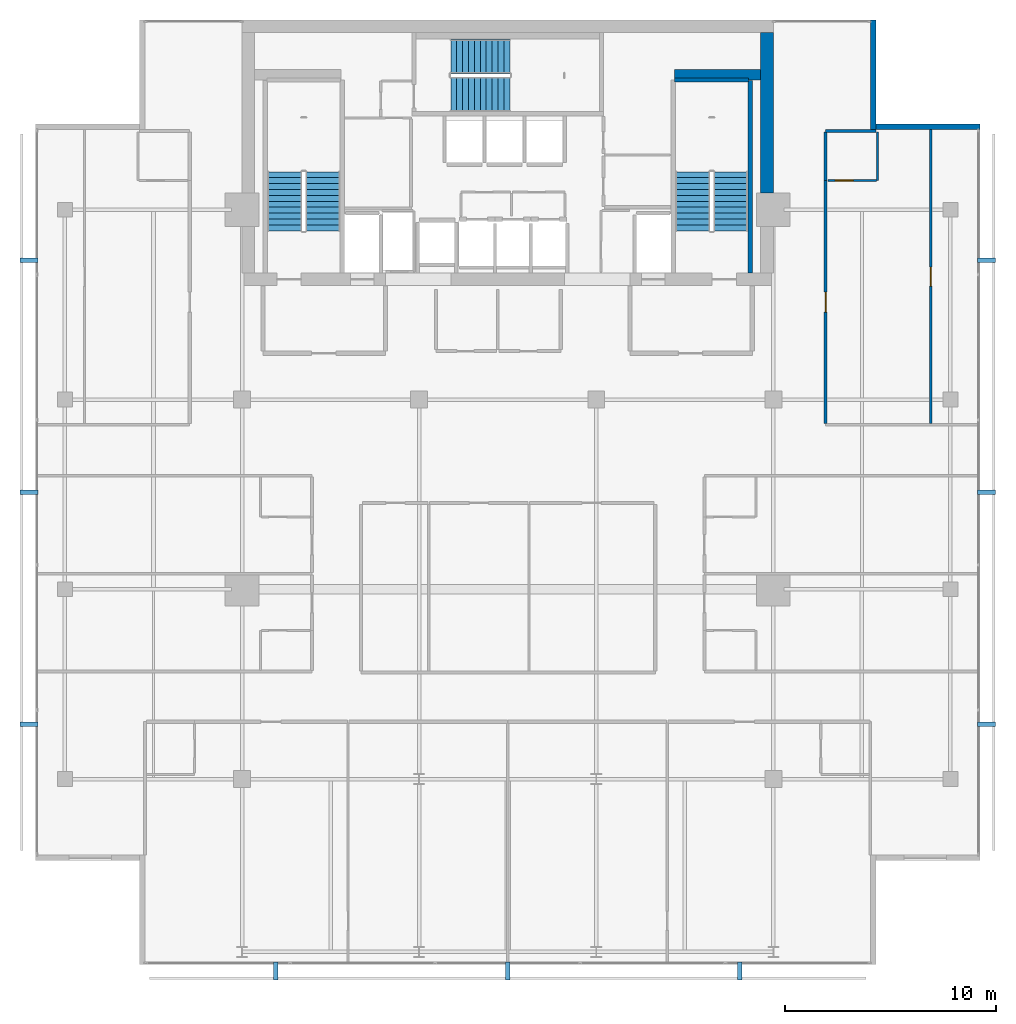
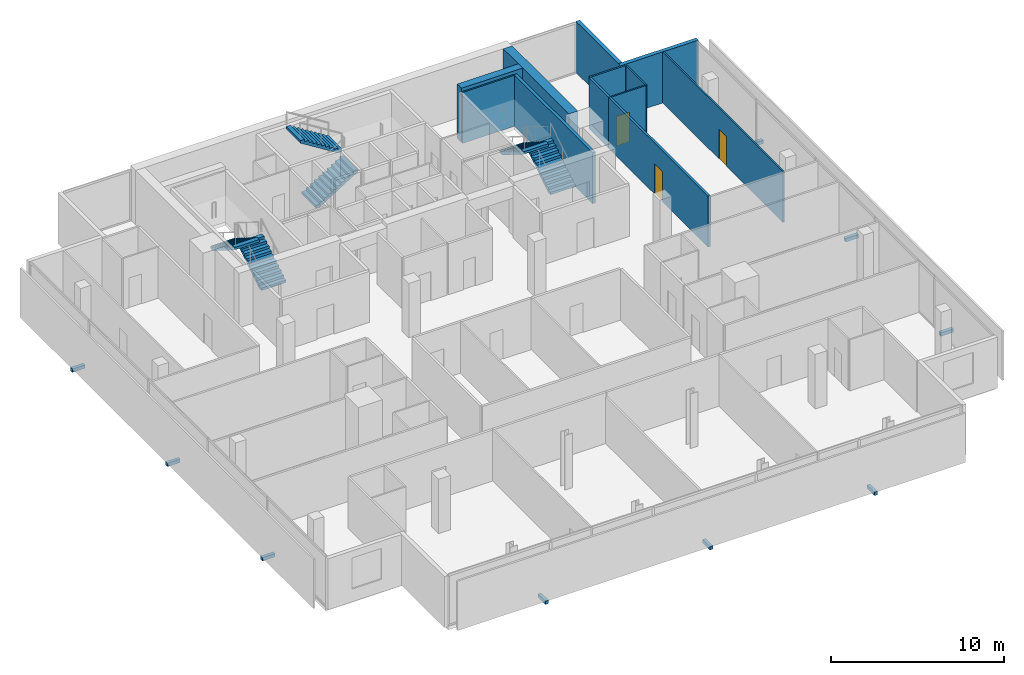
# One storey, part 23 of 25: 12 walls, 9 discrete accessories, 6 stair flights, 3 doors, 3 openings, 3 elements without a shape of their own.
"""IFC4 building model written with IfcOpenShell, lengths in metres."""

from ifc_helpers import new_model, si_unit, direction, frame, frame_2d, origin, origin_2d, place, context, subcontext, project, spatial, polyline, rectangle, outline, extrude, material, layer, layer_set, type_object, element, fill, aggregate, save


model = new_model("IFC4")

# Units and contexts
model_context = context("Model", 3, precision=1e-05, world=origin(), true_north=direction((0.0, 1.0)))
body_context = subcontext(model_context, "Body", "Model", "MODEL_VIEW")
ifc_project = project(units=[si_unit("LENGTHUNIT", "METRE"), si_unit("AREAUNIT", "SQUARE_METRE"), si_unit("VOLUMEUNIT", "CUBIC_METRE"), si_unit("PLANEANGLEUNIT", "RADIAN"), si_unit("MASSUNIT", "GRAM", prefix="KILO")], contexts=[model_context])

# Site, building, storey
site_placement = place(None, origin())
site = spatial("IfcSite", under=ifc_project, at=site_placement, CompositionType="ELEMENT")
building_placement = place(site_placement, origin())
building = spatial("IfcBuilding", under=site, at=building_placement, Name="Maruvema Waterfront Hotel and Observation Tower", CompositionType="ELEMENT")
storey_placement = place(building_placement, frame((0.0, 0.0, 277.89990234375)))
storey = spatial("IfcBuildingStorey", under=building, at=storey_placement, Name="L68", CompositionType="ELEMENT", Elevation=277.89990234375)

# Wall, opening, door
ifc_material_1 = material(Name="Twin-stud acoustic gypsum drywall", Category="gypsum")
ifc_layer_1 = layer(ifc_material_1, 0.14990234375, Name="Acoustic Corridor and Suite Demising Wall 150 mm")
ifc_layer_set_1 = layer_set([ifc_layer_1], Name="Twin-stud acoustic gypsum drywall")
wall_type_1 = type_object("IfcWallType", Name="Acoustic Corridor and Suite Demising Wall 150 mm", PredefinedType="PARTITIONING", material=ifc_layer_set_1)
wall_1_placement = place(storey_placement, frame((52.8798828125, 34.860107421875, 0.0), z_axis=(0.0, 0.0, 1.0), x_axis=(0.0, 1.0, 0.0)))
wall_1 = element("IfcWall", 1, at=wall_1_placement, inside=storey, type_object=wall_type_1, Name="L68 Room L68-NE1 Corridor Wall 085", PredefinedType="PARTITIONING", context=body_context, shape_type="SweptSolid", body=[
    extrude(rectangle(XDim=11.52734375, YDim=0.14990234375, at=frame_2d((5.763671875, 0.0))), origin(), (0.0, 0.0, 1.0), 3.610107421875),
])
opening_1_placement = place(wall_1_placement, frame((5.288818359375, 0.0, 0.0)))
opening_1 = element("IfcOpeningElement", 2, at=opening_1_placement, cuts=wall_1, Name="Opening DR-095", PredefinedType="OPENING", context=body_context, shape_type="SweptSolid", body=[
    extrude(rectangle(XDim=0.949951171875, YDim=2.14990234375, at=frame_2d((0.47509765625, 1.074951171875))), frame((0.0, 0.0849609375, 0.0), z_axis=(0.0, -1.0, 0.0), x_axis=(1.0, 0.0, 0.0)), (0.0, 0.0, 1.0), 0.169921875),
])
ifc_material_2 = material(Name="Acoustic solid-core hardwood timber leaf", Category="wood")
door_type_1 = type_object("IfcDoorType", Name="Guestroom Entrance Fire Door 950x2150 mm", OperationType="NOTDEFINED", PredefinedType="DOOR", material=ifc_material_2)
door_1_placement = place(opening_1_placement, frame((0.949951171875, 0.0, 0.0), z_axis=(0.0, 0.0, 1.0), x_axis=(-1.0, 0.0, 0.0)))
door_1 = element("IfcDoor", 3, at=door_1_placement, inside=storey, type_object=door_type_1, Name="L68 Room L68-NE1 Entrance Door", OperationType="SINGLE_SWING_RIGHT", OverallHeight=2.14990234375, OverallWidth=0.949951171875, PredefinedType="DOOR", context=body_context, shape_type="SweptSolid", body=[
    extrude(rectangle(XDim=0.949951171875, YDim=2.14990234375, at=frame_2d((0.47509765625, 1.074951171875))), frame((0.0, 0.02490234375, 0.0), z_axis=(0.0, -1.0, 0.0), x_axis=(1.0, 0.0, 0.0)), (0.0, 0.0, 1.0), 0.050048828125),
])
fill(opening_1, door_1)

# Walls
wall_2_placement = place(storey_placement, frame((52.8798828125, 46.387451171875, 0.0), z_axis=(0.0, 0.0, 1.0), x_axis=(0.0, 1.0, 0.0)))
element("IfcWall", 4, at=wall_2_placement, inside=storey, type_object=wall_type_1, Name="L68 Bath L68-NE1 Wall 086", PredefinedType="PARTITIONING", context=body_context, shape_type="SweptSolid", body=[
    extrude(rectangle(XDim=2.2900390625, YDim=0.14990234375, at=frame_2d((1.14501953125, 0.0))), origin(), (0.0, 0.0, 1.0), 3.610107421875),
])
ifc_material_3 = material(Name="Precast concrete C45/55", Category="concrete")
ifc_layer_2 = layer(ifc_material_3, 0.199951171875, Name="Core Shaft and Stairwell Enclosure Wall 200 mm")
ifc_layer_set_2 = layer_set([ifc_layer_2], Name="Precast concrete C45/55")
wall_type_2 = type_object("IfcWallType", Name="Core Shaft and Stairwell Enclosure Wall 200 mm", PredefinedType="SOLIDWALL", material=ifc_layer_set_2)
wall_3_placement = place(storey_placement, frame((49.300048828125, 42.0, 0.0), z_axis=(0.0, 0.0, 1.0), x_axis=(0.0, 1.0, 0.0)))
element("IfcWall", 5, at=wall_3_placement, inside=storey, type_object=wall_type_2, Name="L68 Stairwell ST-03 Shaft Lining Wall", PredefinedType="SOLIDWALL", context=body_context, shape_type="SweptSolid", body=[
    extrude(rectangle(XDim=9.1201171875, YDim=0.199951171875, at=frame_2d((4.56005859375, 0.0))), origin(), (0.0, 0.0, 1.0), 3.610107421875),
])
wall_4_placement = place(storey_placement, frame((45.719970703125, 51.14990234375, 0.0), z_axis=(0.0, 0.0, 1.0), x_axis=(1.0, 0.0, 0.0)))
element("IfcWall", 6, at=wall_4_placement, inside=storey, type_object=wall_type_2, Name="L68 Stairwell ST-03 Shaft Lining Wall", PredefinedType="SOLIDWALL", context=body_context, shape_type="SweptSolid", body=[
    extrude(rectangle(XDim=3.5, YDim=0.199951171875, at=frame_2d((1.75, 0.0))), origin(), (0.0, 0.0, 1.0), 3.610107421875),
])
ifc_material_4 = material(Name="Concrete C70/85", Category="concrete")
ifc_layer_3 = layer(ifc_material_4, 0.5, Name="Core Shear Wall 500 mm")
ifc_layer_set_3 = layer_set([ifc_layer_3], Name="Concrete C70/85")
wall_type_3 = type_object("IfcWallType", Name="Core Shear Wall 500 mm", PredefinedType="SHEAR", material=ifc_layer_set_3)
wall_5_placement = place(storey_placement, frame((45.699951171875, 51.39990234375, 0.0), z_axis=(0.0, 0.0, 1.0), x_axis=(1.0, 0.0, 0.0)))
element("IfcWall", 7, at=wall_5_placement, inside=storey, type_object=wall_type_3, Name="L68 Internal Core Shear Wall NE 500 mm", PredefinedType="SHEAR", context=body_context, shape_type="SweptSolid", body=[
    extrude(rectangle(XDim=4.10009765625, YDim=0.5, at=frame_2d((2.050048828125, 0.0))), origin(), (0.0, 0.0, 1.0), 3.85009765625),
])
ifc_material_5 = material(Name="Concrete C60/75", Category="concrete")
ifc_layer_4 = layer(ifc_material_5, 0.60009765625, Name="Core Shear Wall 600 mm")
ifc_layer_set_4 = layer_set([ifc_layer_4], Name="Concrete C60/75")
wall_type_4 = type_object("IfcWallType", Name="Core Shear Wall 600 mm", PredefinedType="SHEAR", material=ifc_layer_set_4)
wall_6_placement = place(storey_placement, frame((50.10009765625, 45.800048828125, 0.0), z_axis=(0.0, 0.0, 1.0), x_axis=(0.0, 1.0, 0.0)))
element("IfcWall", 8, at=wall_6_placement, inside=storey, type_object=wall_type_4, Name="L68 East-North Core Shear Wall", PredefinedType="SHEAR", context=body_context, shape_type="SweptSolid", body=[
    extrude(rectangle(XDim=7.599853515625, YDim=0.60009765625, at=frame_2d((3.7998046875, 0.0))), origin(), (0.0, 0.0, 1.0), 3.85009765625),
])
ifc_material_6 = material(Name="Moisture-resistant cement-board drywall", Category="gypsum")
ifc_layer_5 = layer(ifc_material_6, 0.10009765625, Name="En-Suite Moisture-Resistant Partition 100 mm")
ifc_layer_set_5 = layer_set([ifc_layer_5], Name="Moisture-resistant cement-board drywall")
wall_type_5 = type_object("IfcWallType", Name="En-Suite Moisture-Resistant Partition 100 mm", PredefinedType="PARTITIONING", material=ifc_layer_set_5)
wall_7_placement = place(storey_placement, frame((55.330078125, 46.387451171875, 0.0), z_axis=(0.0, 0.0, 1.0), x_axis=(0.0, 1.0, 0.0)))
element("IfcWall", 9, at=wall_7_placement, inside=storey, type_object=wall_type_5, Name="L68 En-Suite L68-NE1 E 087", PredefinedType="PARTITIONING", context=body_context, shape_type="SweptSolid", body=[
    extrude(rectangle(XDim=2.2900390625, YDim=0.10009765625, at=frame_2d((1.14501953125, 0.0))), origin(), (0.0, 0.0, 1.0), 3.610107421875),
])

# Wall, opening, door
wall_8_placement = place(storey_placement, frame((52.97998046875, 46.387451171875, 0.0), z_axis=(0.0, 0.0, 1.0), x_axis=(1.0, 0.0, 0.0)))
wall_8 = element("IfcWall", 10, at=wall_8_placement, inside=storey, type_object=wall_type_5, Name="L68 En-Suite L68-NE1 S 088", PredefinedType="PARTITIONING", context=body_context, shape_type="SweptSolid", body=[
    extrude(rectangle(XDim=2.300048828125, YDim=0.10009765625, at=frame_2d((1.14990234375, 0.0))), origin(), (0.0, 0.0, 1.0), 3.610107421875),
])
opening_2_placement = place(wall_8_placement, frame((0.35009765625, 0.0, 0.0)))
opening_2 = element("IfcOpeningElement", 11, at=opening_2_placement, cuts=wall_8, Name="Opening DR-085", PredefinedType="OPENING", context=body_context, shape_type="SweptSolid", body=[
    extrude(rectangle(XDim=0.85009765625, YDim=2.10009765625, at=frame_2d((0.425048828125, 1.050048828125))), frame((0.0, 0.06005859375, 0.0), z_axis=(0.0, -1.0, 0.0), x_axis=(1.0, 0.0, 0.0)), (0.0, 0.0, 1.0), 0.1201171875),
])
ifc_material_7 = material(Name="Moisture-resistant solid timber leaf", Category="wood")
door_type_2 = type_object("IfcDoorType", Name="En-Suite Bathroom Door 850x2100 mm", OperationType="NOTDEFINED", PredefinedType="DOOR", material=ifc_material_7)
door_2_placement = place(opening_2_placement, frame((0.85009765625, 0.0, 0.0), z_axis=(0.0, 0.0, 1.0), x_axis=(-1.0, 0.0, 0.0)))
door_2 = element("IfcDoor", 12, at=door_2_placement, inside=storey, type_object=door_type_2, Name="L68 En-Suite L68-NE1 Door", OperationType="SINGLE_SWING_LEFT", OverallHeight=2.10009765625, OverallWidth=0.85009765625, PredefinedType="DOOR", context=body_context, shape_type="SweptSolid", body=[
    extrude(rectangle(XDim=0.85009765625, YDim=2.10009765625, at=frame_2d((0.425048828125, 1.050048828125))), frame((0.0, 0.02490234375, 0.0), z_axis=(0.0, -1.0, 0.0), x_axis=(1.0, 0.0, 0.0)), (0.0, 0.0, 1.0), 0.050048828125),
])
fill(opening_2, door_2)

wall_9_placement = place(storey_placement, frame((57.8623046875, 34.860107421875, 0.0), z_axis=(0.0, 0.0, 1.0), x_axis=(0.0, 1.0, 0.0)))
wall_9 = element("IfcWall", 13, at=wall_9_placement, inside=storey, type_object=wall_type_5, Name="L68 Suite L68-NE1 Split 089", PredefinedType="PARTITIONING", context=body_context, shape_type="SweptSolid", body=[
    extrude(rectangle(XDim=13.9375, YDim=0.10009765625, at=frame_2d((6.96875, 0.0))), origin(), (0.0, 0.0, 1.0), 3.610107421875),
])
opening_3_placement = place(wall_9_placement, frame((6.518798828125, 0.0, 0.0)))
opening_3 = element("IfcOpeningElement", 14, at=opening_3_placement, cuts=wall_9, Name="Opening DR-090", PredefinedType="OPENING", context=body_context, shape_type="SweptSolid", body=[
    extrude(rectangle(XDim=0.89990234375, YDim=2.10009765625, at=frame_2d((0.449951171875, 1.050048828125))), frame((0.0, 0.06005859375, 0.0), z_axis=(0.0, -1.0, 0.0), x_axis=(1.0, 0.0, 0.0)), (0.0, 0.0, 1.0), 0.1201171875),
])
ifc_material_8 = material(Name="Solid-core lacquered timber leaf", Category="wood")
door_type_3 = type_object("IfcDoorType", Name="Accessible Toilet and Room Door 900x2100 mm", OperationType="NOTDEFINED", PredefinedType="DOOR", material=ifc_material_8)
door_3_placement = place(opening_3_placement, frame((0.89990234375, 0.0, 0.0), z_axis=(0.0, 0.0, 1.0), x_axis=(-1.0, 0.0, 0.0)))
door_3 = element("IfcDoor", 15, at=door_3_placement, inside=storey, type_object=door_type_3, Name="L68 Suite L68-NE1 Bedroom Door", OperationType="SINGLE_SWING_LEFT", OverallHeight=2.10009765625, OverallWidth=0.89990234375, PredefinedType="DOOR", context=body_context, shape_type="SweptSolid", body=[
    extrude(rectangle(XDim=0.89990234375, YDim=2.10009765625, at=frame_2d((0.449951171875, 1.050048828125))), frame((0.0, 0.02490234375, 0.0), z_axis=(0.0, -1.0, 0.0), x_axis=(1.0, 0.0, 0.0)), (0.0, 0.0, 1.0), 0.050048828125),
])
fill(opening_3, door_3)

# Walls
ifc_material_9 = material(Name="Precast concrete C45/55 with honed Pernambuco granite facing", Category="masonry")
ifc_layer_6 = layer(ifc_material_9, 0.260009765625, Name="Exterior Granite Clad Spandrel and Pier Wall 260 mm")
ifc_layer_set_6 = layer_set([ifc_layer_6], Name="Precast concrete C45/55 with honed Pernambuco granite facing")
wall_type_6 = type_object("IfcWallType", Name="Exterior Granite Clad Spandrel and Pier Wall 260 mm", PredefinedType="SOLIDWALL", material=ifc_layer_set_6)
for number, where, z_axis, x_axis, name in (
    (16, (55.1298828125, 54.0, 0.0), (0.0, 0.0, 1.0), (0.0, -1.0, 0.0), "L68 Corner Notch Granite Pier Wall NE1"),
    (17, (55.0, 48.929931640625, 0.0), (0.0, 0.0, 1.0), (1.0, 0.0, 0.0), "L68 Corner Notch Granite Pier Wall NE2"),
):
    element("IfcWall", number, at=place(storey_placement, frame(where, z_axis=z_axis, x_axis=x_axis)), inside=storey, type_object=wall_type_6, Name=name, PredefinedType="SOLIDWALL", context=body_context, shape_type="SweptSolid", body=[
        extrude(rectangle(XDim=5.199951171875, YDim=0.260009765625, at=frame_2d((2.60009765625, 0.0))), origin(), (0.0, 0.0, 1.0), 3.610107421875),
    ])
ifc_material_10 = material(Name="Acoustic gypsum plasterboard drywall", Category="gypsum")
ifc_layer_7 = layer(ifc_material_10, 0.125, Name="Guestroom Acoustic Demising Wall 125 mm")
ifc_layer_set_7 = layer_set([ifc_layer_7], Name="Acoustic gypsum plasterboard drywall")
wall_type_7 = type_object("IfcWallType", Name="Guestroom Acoustic Demising Wall 125 mm", PredefinedType="PARTITIONING", material=ifc_layer_set_7)
wall_10_placement = place(storey_placement, frame((52.8798828125, 48.737548828125, 0.0), z_axis=(0.0, 0.0, 1.0), x_axis=(1.0, 0.0, 0.0)))
element("IfcWall", 18, at=wall_10_placement, inside=storey, type_object=wall_type_7, Name="L68 Z3 NE Top End 079", PredefinedType="PARTITIONING", context=body_context, shape_type="SweptSolid", body=[
    extrude(rectangle(XDim=2.380126953125, YDim=0.125, at=frame_2d((1.18994140625, 0.0))), origin(), (0.0, 0.0, 1.0), 3.610107421875),
])

# Stair, stair flights
ifc_material_11 = material(Name="Concrete C50/60", Category="concrete")
stair_type = type_object("IfcStairType", Name="Dogleg Exit Stair 1650 mm (22R x 175.0 mm)", PredefinedType="HALF_TURN_STAIR", material=ifc_material_11)
stair_1_placement = place(storey_placement, origin())
stair_1 = element("IfcStair", 19, at=stair_1_placement, inside=storey, type_object=stair_type, Name="L68 ST-01", PredefinedType="HALF_TURN_STAIR")
ifc_material_12 = material(Name="Concrete C50/60", Category="concrete")
stair_flight_type = type_object("IfcStairFlightType", Name="Reinforced Concrete Stair Flight 1650 mm (11R x 175.0 mm)", PredefinedType="STRAIGHT", material=ifc_material_12)
stair_flight_1_placement = place(storey_placement, frame((29.02490234375, 44.0, 0.0), z_axis=(0.0, 0.0, 1.0), x_axis=(0.0, 1.0, 0.0)))
stair_flight_1 = element("IfcStairFlight", 20, at=stair_flight_1_placement, type_object=stair_flight_type, Name="ST-01 flight 1", NumberOfRisers=11, NumberOfTreads=10, PredefinedType="STRAIGHT", RiserHeight=0.175, TreadLength=0.28, context=body_context, shape_type="SweptSolid", body=[
    extrude(outline(polyline([(0.0, 0.0), (0.0, 0.175048828125), (0.280029296875, 0.175048828125), (0.280029296875, 0.35009765625), (0.56005859375, 0.35009765625), (0.56005859375, 0.52490234375), (0.840087890625, 0.52490234375), (0.840087890625, 0.699951171875), (1.1201171875, 0.699951171875), (1.1201171875, 0.875), (1.39990234375, 0.875), (1.39990234375, 1.050048828125), (1.679931640625, 1.050048828125), (1.679931640625, 1.22509765625), (1.9599609375, 1.22509765625), (1.9599609375, 1.39990234375), (2.239990234375, 1.39990234375), (2.239990234375, 1.574951171875), (2.52001953125, 1.574951171875), (2.52001953125, 1.75), (2.800048828125, 1.75), (2.800048828125, 1.925048828125), (2.800048828125, 1.5732421875), (0.28271484375, 0.0), (0.0, 0.0)])), frame((0.0, 0.824951171875, 0.0), z_axis=(0.0, -1.0, 0.0), x_axis=(1.0, 0.0, 0.0)), (0.0, 0.0, 1.0), 1.64990234375),
])
stair_flight_2_placement = place(storey_placement, frame((27.22509765625, 46.800048828125, 1.925048828125), z_axis=(0.0, 0.0, 1.0), x_axis=(0.0, -1.0, 0.0)))
stair_flight_2 = element("IfcStairFlight", 21, at=stair_flight_2_placement, type_object=stair_flight_type, Name="ST-01 flight 2", NumberOfRisers=11, NumberOfTreads=10, PredefinedType="STRAIGHT", RiserHeight=0.175, TreadLength=0.28, context=body_context, shape_type="SweptSolid", body=[
    extrude(outline(polyline([(0.0, 0.0), (0.0, 0.175048828125), (0.280029296875, 0.175048828125), (0.280029296875, 0.35009765625), (0.56005859375, 0.35009765625), (0.56005859375, 0.52490234375), (0.840087890625, 0.52490234375), (0.840087890625, 0.699951171875), (1.1201171875, 0.699951171875), (1.1201171875, 0.875), (1.39990234375, 0.875), (1.39990234375, 1.050048828125), (1.679931640625, 1.050048828125), (1.679931640625, 1.22509765625), (1.9599609375, 1.22509765625), (1.9599609375, 1.39990234375), (2.239990234375, 1.39990234375), (2.239990234375, 1.574951171875), (2.52001953125, 1.574951171875), (2.52001953125, 1.75), (2.800048828125, 1.75), (2.800048828125, 1.925048828125), (2.800048828125, 1.5732421875), (0.28271484375, 0.0), (0.0, 0.0)])), frame((0.0, 0.824951171875, 0.0), z_axis=(0.0, -1.0, 0.0), x_axis=(1.0, 0.0, 0.0)), (0.0, 0.0, 1.0), 1.64990234375),
])
aggregate(stair_1, [stair_flight_1, stair_flight_2])

stair_2_placement = place(storey_placement, origin())
stair_2 = element("IfcStair", 22, at=stair_2_placement, inside=storey, type_object=stair_type, Name="L68 ST-02", PredefinedType="HALF_TURN_STAIR")
stair_flight_3_placement = place(storey_placement, frame((35.10009765625, 50.47509765625, 0.0), z_axis=(0.0, 0.0, 1.0), x_axis=(1.0, 0.0, 0.0)))
stair_flight_3 = element("IfcStairFlight", 23, at=stair_flight_3_placement, type_object=stair_flight_type, Name="ST-02 flight 1", NumberOfRisers=11, NumberOfTreads=10, PredefinedType="STRAIGHT", RiserHeight=0.175, TreadLength=0.28, context=body_context, shape_type="SweptSolid", body=[
    extrude(outline(polyline([(0.0, 0.0), (0.0, 0.175048828125), (0.280029296875, 0.175048828125), (0.280029296875, 0.35009765625), (0.56005859375, 0.35009765625), (0.56005859375, 0.52490234375), (0.840087890625, 0.52490234375), (0.840087890625, 0.699951171875), (1.1201171875, 0.699951171875), (1.1201171875, 0.875), (1.39990234375, 0.875), (1.39990234375, 1.050048828125), (1.679931640625, 1.050048828125), (1.679931640625, 1.22509765625), (1.9599609375, 1.22509765625), (1.9599609375, 1.39990234375), (2.239990234375, 1.39990234375), (2.239990234375, 1.574951171875), (2.52001953125, 1.574951171875), (2.52001953125, 1.75), (2.800048828125, 1.75), (2.800048828125, 1.925048828125), (2.800048828125, 1.5732421875), (0.28271484375, 0.0), (0.0, 0.0)])), frame((0.0, 0.824951171875, 0.0), z_axis=(0.0, -1.0, 0.0), x_axis=(1.0, 0.0, 0.0)), (0.0, 0.0, 1.0), 1.64990234375),
])
stair_flight_4_placement = place(storey_placement, frame((37.89990234375, 52.27490234375, 1.925048828125), z_axis=(0.0, 0.0, 1.0), x_axis=(-1.0, 0.0, 0.0)))
stair_flight_4 = element("IfcStairFlight", 24, at=stair_flight_4_placement, type_object=stair_flight_type, Name="ST-02 flight 2", NumberOfRisers=11, NumberOfTreads=10, PredefinedType="STRAIGHT", RiserHeight=0.175, TreadLength=0.28, context=body_context, shape_type="SweptSolid", body=[
    extrude(outline(polyline([(0.0, 0.0), (0.0, 0.175048828125), (0.280029296875, 0.175048828125), (0.280029296875, 0.35009765625), (0.56005859375, 0.35009765625), (0.56005859375, 0.52490234375), (0.840087890625, 0.52490234375), (0.840087890625, 0.699951171875), (1.1201171875, 0.699951171875), (1.1201171875, 0.875), (1.39990234375, 0.875), (1.39990234375, 1.050048828125), (1.679931640625, 1.050048828125), (1.679931640625, 1.22509765625), (1.9599609375, 1.22509765625), (1.9599609375, 1.39990234375), (2.239990234375, 1.39990234375), (2.239990234375, 1.574951171875), (2.52001953125, 1.574951171875), (2.52001953125, 1.75), (2.800048828125, 1.75), (2.800048828125, 1.925048828125), (2.800048828125, 1.5732421875), (0.28271484375, 0.0), (0.0, 0.0)])), frame((0.0, 0.824951171875, 0.0), z_axis=(0.0, -1.0, 0.0), x_axis=(1.0, 0.0, 0.0)), (0.0, 0.0, 1.0), 1.64990234375),
])
aggregate(stair_2, [stair_flight_3, stair_flight_4])

stair_3_placement = place(storey_placement, origin())
stair_3 = element("IfcStair", 25, at=stair_3_placement, inside=storey, type_object=stair_type, Name="L68 ST-03", PredefinedType="HALF_TURN_STAIR")
stair_flight_5_placement = place(storey_placement, frame((48.375, 44.0, 0.0), z_axis=(0.0, 0.0, 1.0), x_axis=(0.0, 1.0, 0.0)))
stair_flight_5 = element("IfcStairFlight", 26, at=stair_flight_5_placement, type_object=stair_flight_type, Name="ST-03 flight 1", NumberOfRisers=11, NumberOfTreads=10, PredefinedType="STRAIGHT", RiserHeight=0.175, TreadLength=0.28, context=body_context, shape_type="SweptSolid", body=[
    extrude(outline(polyline([(0.0, 0.0), (0.0, 0.175048828125), (0.280029296875, 0.175048828125), (0.280029296875, 0.35009765625), (0.56005859375, 0.35009765625), (0.56005859375, 0.52490234375), (0.840087890625, 0.52490234375), (0.840087890625, 0.699951171875), (1.1201171875, 0.699951171875), (1.1201171875, 0.875), (1.39990234375, 0.875), (1.39990234375, 1.050048828125), (1.679931640625, 1.050048828125), (1.679931640625, 1.22509765625), (1.9599609375, 1.22509765625), (1.9599609375, 1.39990234375), (2.239990234375, 1.39990234375), (2.239990234375, 1.574951171875), (2.52001953125, 1.574951171875), (2.52001953125, 1.75), (2.800048828125, 1.75), (2.800048828125, 1.925048828125), (2.800048828125, 1.5732421875), (0.28271484375, 0.0), (0.0, 0.0)])), frame((0.0, 0.824951171875, 0.0), z_axis=(0.0, -1.0, 0.0), x_axis=(1.0, 0.0, 0.0)), (0.0, 0.0, 1.0), 1.64990234375),
])
stair_flight_6_placement = place(storey_placement, frame((46.574951171875, 46.800048828125, 1.925048828125), z_axis=(0.0, 0.0, 1.0), x_axis=(0.0, -1.0, 0.0)))
stair_flight_6 = element("IfcStairFlight", 27, at=stair_flight_6_placement, type_object=stair_flight_type, Name="ST-03 flight 2", NumberOfRisers=11, NumberOfTreads=10, PredefinedType="STRAIGHT", RiserHeight=0.175, TreadLength=0.28, context=body_context, shape_type="SweptSolid", body=[
    extrude(outline(polyline([(0.0, 0.0), (0.0, 0.175048828125), (0.280029296875, 0.175048828125), (0.280029296875, 0.35009765625), (0.56005859375, 0.35009765625), (0.56005859375, 0.52490234375), (0.840087890625, 0.52490234375), (0.840087890625, 0.699951171875), (1.1201171875, 0.699951171875), (1.1201171875, 0.875), (1.39990234375, 0.875), (1.39990234375, 1.050048828125), (1.679931640625, 1.050048828125), (1.679931640625, 1.22509765625), (1.9599609375, 1.22509765625), (1.9599609375, 1.39990234375), (2.239990234375, 1.39990234375), (2.239990234375, 1.574951171875), (2.52001953125, 1.574951171875), (2.52001953125, 1.75), (2.800048828125, 1.75), (2.800048828125, 1.925048828125), (2.800048828125, 1.5732421875), (0.28271484375, 0.0), (0.0, 0.0)])), frame((0.0, 0.824951171875, 0.0), z_axis=(0.0, -1.0, 0.0), x_axis=(1.0, 0.0, 0.0)), (0.0, 0.0, 1.0), 1.64990234375),
])
aggregate(stair_3, [stair_flight_5, stair_flight_6])

# Discrete accessories
ifc_material_13 = material(Name="Duplex stainless steel Grade 2205", Category="steel")
discrete_accessory_type = type_object("IfcDiscreteAccessoryType", Name="Double-Skin Cavity Stainless Outrigger Bracket", PredefinedType="BRACKET", material=ifc_material_13)
for number, where, z_axis, x_axis, name in (
    (28, (26.7919921875, 8.89990234375, -0.14013671875), (0.0, 0.0, 1.0), (1.0, 0.0, 0.0), "L68 Outer Skin Support Bracket 1"),
    (29, (37.800048828125, 8.89990234375, -0.14013671875), (0.0, 0.0, 1.0), (1.0, 0.0, 0.0), "L68 Outer Skin Support Bracket 2"),
    (30, (48.80810546875, 8.89990234375, -0.14013671875), (0.0, 0.0, 1.0), (1.0, 0.0, 0.0), "L68 Outer Skin Support Bracket 3"),
    (31, (60.5, 20.592041015625, -0.14013671875), (0.0, 0.0, 1.0), (0.0, 1.0, 0.0), "L68 Outer Skin Support Bracket 1"),
    (32, (60.5, 31.60009765625, -0.14013671875), (0.0, 0.0, 1.0), (0.0, 1.0, 0.0), "L68 Outer Skin Support Bracket 2"),
    (33, (60.5, 42.60791015625, -0.14013671875), (0.0, 0.0, 1.0), (0.0, 1.0, 0.0), "L68 Outer Skin Support Bracket 3"),
    (34, (15.10009765625, 42.60791015625, -0.14013671875), (0.0, 0.0, 1.0), (0.0, -1.0, 0.0), "L68 Outer Skin Support Bracket 1"),
    (35, (15.10009765625, 31.60009765625, -0.14013671875), (0.0, 0.0, 1.0), (0.0, -1.0, 0.0), "L68 Outer Skin Support Bracket 2"),
    (36, (15.10009765625, 20.592041015625, -0.14013671875), (0.0, 0.0, 1.0), (0.0, -1.0, 0.0), "L68 Outer Skin Support Bracket 3"),
):
    element("IfcDiscreteAccessory", number, at=place(storey_placement, frame(where, z_axis=z_axis, x_axis=x_axis)), inside=storey, type_object=discrete_accessory_type, Name=name, PredefinedType="BRACKET", context=body_context, shape_type="SweptSolid", body=[
        extrude(rectangle(XDim=0.219970703125, YDim=0.860107421875, at=origin_2d()), origin(), (0.0, 0.0, 1.0), 0.239990234375),
    ])

save(model, "model.ifc")
